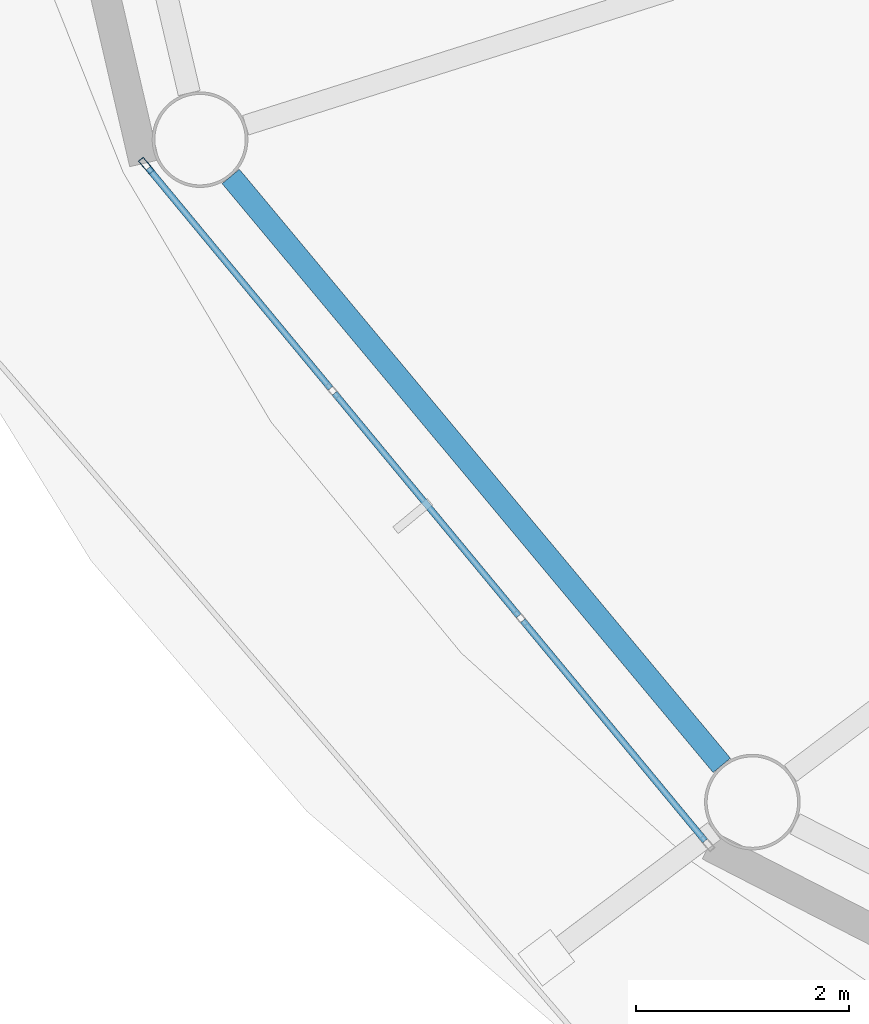
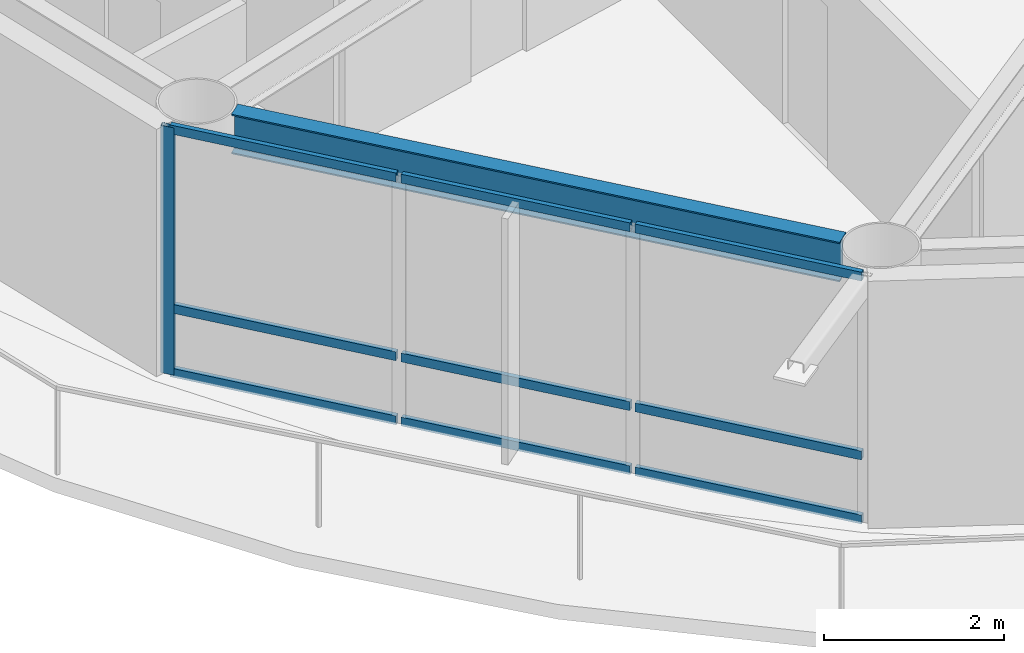
# One storey, part 3 of 22: 10 members, 1 beam, 1 element without a shape of its own.
"""IFC4 building model written with IfcOpenShell, lengths in metres."""

from ifc_helpers import new_model, si_unit, direction, frame, origin, origin_2d, place, context, subcontext, project, spatial, hollow_rectangle, i_section, extrude, material, layer, layer_set, material_profile, profile_set, type_object, element, aggregate, save


model = new_model("IFC4")

# Units and contexts
model_context = context("Model", 3, precision=1e-05, world=origin(), true_north=direction((0.0, 1.0)))
body_context = subcontext(model_context, "Body", "Model", "MODEL_VIEW")
ifc_project = project(units=[si_unit("LENGTHUNIT", "METRE"), si_unit("AREAUNIT", "SQUARE_METRE"), si_unit("VOLUMEUNIT", "CUBIC_METRE"), si_unit("PLANEANGLEUNIT", "RADIAN"), si_unit("MASSUNIT", "GRAM", prefix="KILO")], contexts=[model_context])

# Site, building, storey
site_placement = place(None, origin())
site = spatial("IfcSite", under=ifc_project, at=site_placement, CompositionType="ELEMENT")
building_placement = place(site_placement, origin())
building = spatial("IfcBuilding", under=site, at=building_placement, Name="Sarneth Arch Tower", CompositionType="ELEMENT")
storey_placement = place(building_placement, frame((0.0, 0.0, 210.0)))
storey = spatial("IfcBuildingStorey", under=building, at=storey_placement, Name="L53", CompositionType="ELEMENT", Elevation=210.0)

# Beam
ifc_material_1 = material(Name="Steel S355", Category="steel")
ifc_material_profile_1 = material_profile(ifc_material_1, i_section(OverallWidth=0.2109375, OverallDepth=0.5390625, WebThickness=0.01171875, FlangeThickness=0.018798828125, FilletRadius=0.01806640625, at=origin_2d()), Name="W530x109")
ifc_profile_set_1 = profile_set([ifc_material_profile_1], Name="Steel S355")
beam_type = type_object("IfcBeamType", Name="BM-RAD-530B", PredefinedType="BEAM", material=ifc_profile_set_1)
beam_placement = place(storey_placement, frame((25.119384765625, 34.306884765625, 3.090576171875), z_axis=(0.640390876881, -0.768049168222, 0.0), x_axis=(0.768049168222, 0.640390876881, 0.0)))
element("IfcBeam", 1, at=beam_placement, inside=storey, type_object=beam_type, Name="L53 Perimeter spandrel beam 10", PredefinedType="BEAM", context=body_context, shape_type="SweptSolid", body=[
    extrude(i_section(OverallWidth=0.2109375, OverallDepth=0.5390625, WebThickness=0.01171875, FlangeThickness=0.018798828125, FilletRadius=0.01806640625, at=origin_2d()), origin(), (0.0, 0.0, 1.0), 7.2099609375),
])

# Curtain wall, members
ifc_material_2 = material(Name="Anodised aluminium Type AA25 and solar-control low-e laminated IGU", Category="aluminium")
ifc_layer = layer(ifc_material_2, 0.179931640625)
ifc_layer_set = layer_set([ifc_layer], Name="Anodised aluminium Type AA25 and solar-control low-e laminated IGU")
curtain_wall_type = type_object("IfcCurtainWallType", Name="CW-RES-HIGH", PredefinedType="NOTDEFINED", material=ifc_layer_set)
curtain_wall_placement = place(storey_placement, origin())
curtain_wall = element("IfcCurtainWall", 2, at=curtain_wall_placement, inside=storey, type_object=curtain_wall_type, Name="L53 Unitised curtain wall facet 10", PredefinedType="NOTDEFINED")
ifc_material_3 = material(Name="Anodised Aluminium 6063-T6", Category="aluminium")
ifc_material_profile_2 = material_profile(ifc_material_3, hollow_rectangle(XDim=0.06005859375, YDim=0.159912109375, WallThickness=0.00390625, at=origin_2d()), Name="AL-MULL-160x60x4")
ifc_profile_set_2 = profile_set([ifc_material_profile_2], Name="Anodised Aluminium 6063-T6")
member_type_1 = type_object("IfcMemberType", Name="CW-MULLION", PredefinedType="MULLION", material=ifc_profile_set_2)
member_1_placement = place(storey_placement, frame((24.325439453125, 34.407470703125, 0.0), z_axis=(0.0, 0.0, 1.0), x_axis=(0.770359245933, 0.637610094184, 0.0)))
member_1 = element("IfcMember", 3, at=member_1_placement, type_object=member_type_1, Name="CW-SYS-6 mullion 1", PredefinedType="MULLION", context=body_context, shape_type="SweptSolid", body=[
    extrude(hollow_rectangle(XDim=0.06005859375, YDim=0.159912109375, WallThickness=0.00390625, at=origin_2d()), origin(), (0.0, 0.0, 1.0), 3.360107421875),
])
ifc_material_4 = material(Name="Anodised Aluminium 6063-T6", Category="aluminium")
ifc_material_profile_3 = material_profile(ifc_material_4, hollow_rectangle(XDim=0.06005859375, YDim=0.1201171875, WallThickness=0.00390625, at=origin_2d()), Name="AL-TRAN-120x60x4")
ifc_profile_set_3 = profile_set([ifc_material_profile_3], Name="Anodised Aluminium 6063-T6")
member_type_2 = type_object("IfcMemberType", Name="CW-TRANSOM", PredefinedType="USERDEFINED", material=ifc_profile_set_3)
member_2_placement = place(storey_placement, frame((24.344482421875, 34.38427734375, 0.030029296875), z_axis=(0.637651400067, -0.770325056059, 0.0), x_axis=(0.770325056059, 0.637651400067, 0.0)))
member_2 = element("IfcMember", 4, at=member_2_placement, type_object=member_type_2, Name="CW-SYS-6 transom 1.1", ObjectType="TRANSOM", PredefinedType="USERDEFINED", context=body_context, shape_type="SweptSolid", body=[
    extrude(hollow_rectangle(XDim=0.06005859375, YDim=0.1201171875, WallThickness=0.00390625, at=origin_2d()), origin(), (0.0, 0.0, 1.0), 2.6865234375),
])
member_3_placement = place(storey_placement, frame((24.344482421875, 34.38427734375, 0.89990234375), z_axis=(0.637651400067, -0.770325056059, 0.0), x_axis=(0.770325056059, 0.637651400067, 0.0)))
member_3 = element("IfcMember", 5, at=member_3_placement, type_object=member_type_2, Name="CW-SYS-6 transom 1.2", ObjectType="TRANSOM", PredefinedType="USERDEFINED", context=body_context, shape_type="SweptSolid", body=[
    extrude(hollow_rectangle(XDim=0.06005859375, YDim=0.1201171875, WallThickness=0.00390625, at=origin_2d()), origin(), (0.0, 0.0, 1.0), 2.6865234375),
])
member_4_placement = place(storey_placement, frame((24.344482421875, 34.38427734375, 3.330078125), z_axis=(0.637651400067, -0.770325056059, 0.0), x_axis=(0.770325056059, 0.637651400067, 0.0)))
member_4 = element("IfcMember", 6, at=member_4_placement, type_object=member_type_2, Name="CW-SYS-6 transom 1.3", ObjectType="TRANSOM", PredefinedType="USERDEFINED", context=body_context, shape_type="SweptSolid", body=[
    extrude(hollow_rectangle(XDim=0.06005859375, YDim=0.1201171875, WallThickness=0.00390625, at=origin_2d()), origin(), (0.0, 0.0, 1.0), 2.6865234375),
])
member_5_placement = place(storey_placement, frame((26.095703125, 32.268310546875, 0.030029296875), z_axis=(0.637617371902, -0.770353222261, 0.0), x_axis=(0.770353222261, 0.637617371902, 0.0)))
member_5 = element("IfcMember", 7, at=member_5_placement, type_object=member_type_2, Name="CW-SYS-6 transom 2.1", ObjectType="TRANSOM", PredefinedType="USERDEFINED", context=body_context, shape_type="SweptSolid", body=[
    extrude(hollow_rectangle(XDim=0.06005859375, YDim=0.1201171875, WallThickness=0.00390625, at=origin_2d()), origin(), (0.0, 0.0, 1.0), 2.716552734375),
])
member_6_placement = place(storey_placement, frame((26.095703125, 32.268310546875, 0.89990234375), z_axis=(0.637617371902, -0.770353222261, 0.0), x_axis=(0.770353222261, 0.637617371902, 0.0)))
member_6 = element("IfcMember", 8, at=member_6_placement, type_object=member_type_2, Name="CW-SYS-6 transom 2.2", ObjectType="TRANSOM", PredefinedType="USERDEFINED", context=body_context, shape_type="SweptSolid", body=[
    extrude(hollow_rectangle(XDim=0.06005859375, YDim=0.1201171875, WallThickness=0.00390625, at=origin_2d()), origin(), (0.0, 0.0, 1.0), 2.716552734375),
])
member_7_placement = place(storey_placement, frame((26.095703125, 32.268310546875, 3.330078125), z_axis=(0.637617371902, -0.770353222261, 0.0), x_axis=(0.770353222261, 0.637617371902, 0.0)))
member_7 = element("IfcMember", 9, at=member_7_placement, type_object=member_type_2, Name="CW-SYS-6 transom 2.3", ObjectType="TRANSOM", PredefinedType="USERDEFINED", context=body_context, shape_type="SweptSolid", body=[
    extrude(hollow_rectangle(XDim=0.06005859375, YDim=0.1201171875, WallThickness=0.00390625, at=origin_2d()), origin(), (0.0, 0.0, 1.0), 2.716552734375),
])
member_8_placement = place(storey_placement, frame((27.8662109375, 30.12939453125, 0.030029296875), z_axis=(0.637606765719, -0.770362000821, 0.0), x_axis=(0.770362000821, 0.637606765719, 0.0)))
member_8 = element("IfcMember", 10, at=member_8_placement, type_object=member_type_2, Name="CW-SYS-6 transom 3.1", ObjectType="TRANSOM", PredefinedType="USERDEFINED", context=body_context, shape_type="SweptSolid", body=[
    extrude(hollow_rectangle(XDim=0.06005859375, YDim=0.1201171875, WallThickness=0.00390625, at=origin_2d()), origin(), (0.0, 0.0, 1.0), 2.686767578125),
])
member_9_placement = place(storey_placement, frame((27.8662109375, 30.12939453125, 0.89990234375), z_axis=(0.637606765719, -0.770362000821, 0.0), x_axis=(0.770362000821, 0.637606765719, 0.0)))
member_9 = element("IfcMember", 11, at=member_9_placement, type_object=member_type_2, Name="CW-SYS-6 transom 3.2", ObjectType="TRANSOM", PredefinedType="USERDEFINED", context=body_context, shape_type="SweptSolid", body=[
    extrude(hollow_rectangle(XDim=0.06005859375, YDim=0.1201171875, WallThickness=0.00390625, at=origin_2d()), origin(), (0.0, 0.0, 1.0), 2.686767578125),
])
member_10_placement = place(storey_placement, frame((27.8662109375, 30.12939453125, 3.330078125), z_axis=(0.637606765719, -0.770362000821, 0.0), x_axis=(0.770362000821, 0.637606765719, 0.0)))
member_10 = element("IfcMember", 12, at=member_10_placement, type_object=member_type_2, Name="CW-SYS-6 transom 3.3", ObjectType="TRANSOM", PredefinedType="USERDEFINED", context=body_context, shape_type="SweptSolid", body=[
    extrude(hollow_rectangle(XDim=0.06005859375, YDim=0.1201171875, WallThickness=0.00390625, at=origin_2d()), origin(), (0.0, 0.0, 1.0), 2.686767578125),
])
aggregate(curtain_wall, [member_1, member_2, member_3, member_4, member_5, member_6, member_7, member_8, member_9, member_10])

save(model, "model.ifc")
